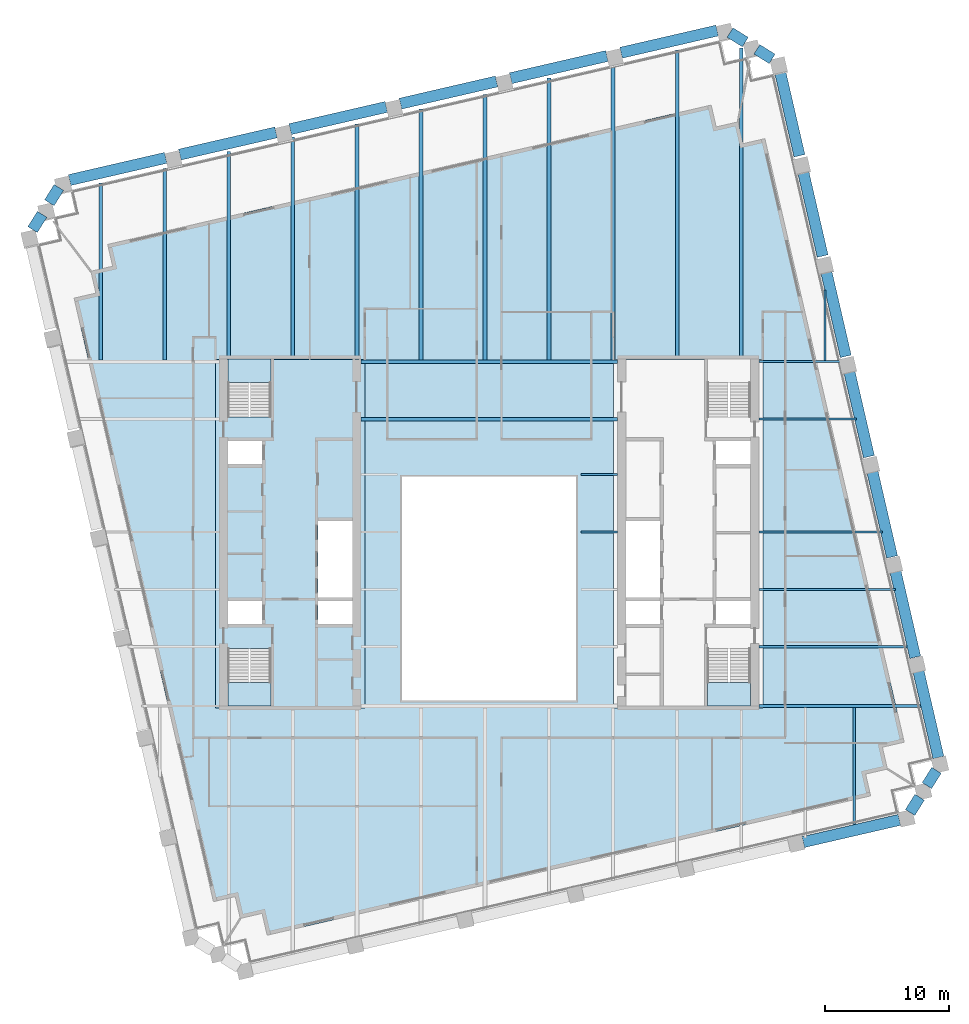
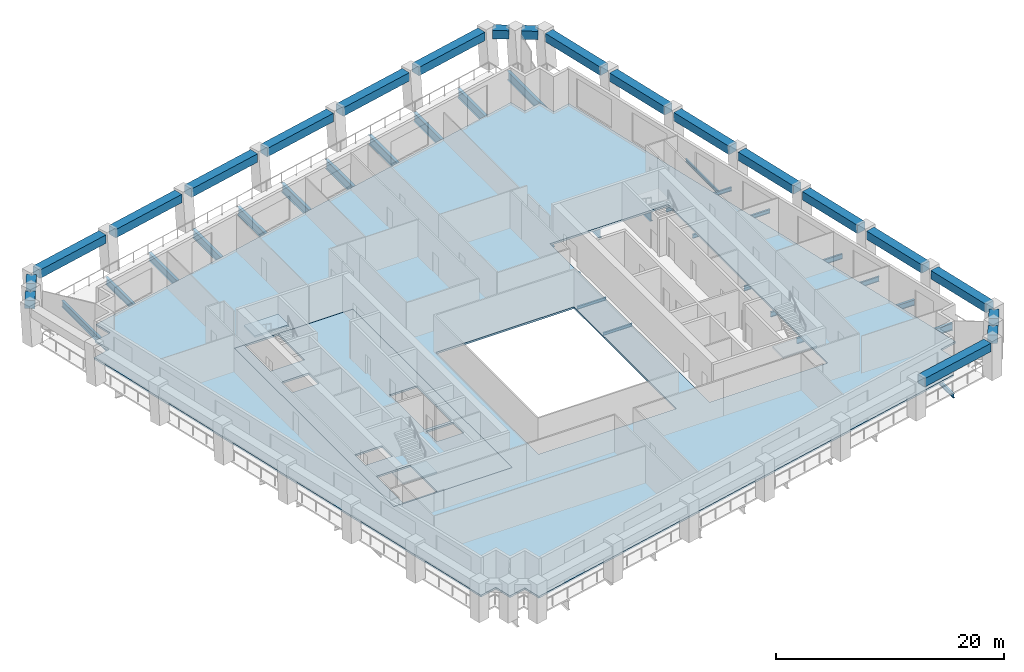
# One storey, part 2 of 10: 43 beams, 5 slabs, 3 elements without a shape of their own.
"""IFC4 building model written with IfcOpenShell, lengths in metres."""

from ifc_helpers import new_model, si_unit, direction, frame, origin, origin_2d, place, context, subcontext, project, spatial, polyline, rectangle, i_section, outline, extrude, material, layer, layer_set, material_profile, profile_set, type_object, element, aggregate, save


model = new_model("IFC4")

# Units and contexts
model_context = context("Model", 3, precision=1e-05, world=origin(), true_north=direction((0.0, 1.0)))
body_context = subcontext(model_context, "Body", "Model", "MODEL_VIEW")
ifc_project = project(units=[si_unit("LENGTHUNIT", "METRE"), si_unit("AREAUNIT", "SQUARE_METRE"), si_unit("VOLUMEUNIT", "CUBIC_METRE"), si_unit("PLANEANGLEUNIT", "RADIAN"), si_unit("MASSUNIT", "GRAM", prefix="KILO")], contexts=[model_context])

# Site, building, storey
site_placement = place(None, origin())
site = spatial("IfcSite", under=ifc_project, at=site_placement, CompositionType="ELEMENT")
building_placement = place(site_placement, origin())
building = spatial("IfcBuilding", under=site, at=building_placement, Name="Ogive Exchange Tower", CompositionType="ELEMENT")
storey_placement = place(building_placement, frame((0.0, 0.0, 201.0)))
storey = spatial("IfcBuildingStorey", under=building, at=storey_placement, Name="L44", CompositionType="ELEMENT", Elevation=201.0)

# Beams
ifc_material_1 = material(Name="Steel ASTM A992 Gr50", Category="steel")
ifc_material_profile_1 = material_profile(ifc_material_1, i_section(OverallWidth=0.300048828125, OverallDepth=0.969970703125, WebThickness=0.01611328125, FlangeThickness=0.02099609375, at=origin_2d()), Name="W1000x222")
ifc_profile_set_1 = profile_set([ifc_material_profile_1], Name="Steel ASTM A992 Gr50")
beam_type_1 = type_object("IfcBeamType", Name="Floor beam W1000x222", PredefinedType="JOIST", material=ifc_profile_set_1)
beam_1_placement = place(storey_placement, frame((-5.483642578125, 25.39501953125, -0.68505859375), z_axis=(0.0, 1.0, 0.0), x_axis=(-1.0, 0.0, 0.0)))
element("IfcBeam", 1, at=beam_1_placement, inside=storey, type_object=beam_type_1, Name="Floor beam", PredefinedType="JOIST", context=body_context, shape_type="SweptSolid", body=[
    extrude(i_section(OverallWidth=0.300048828125, OverallDepth=0.969970703125, WebThickness=0.01611328125, FlangeThickness=0.02099609375, at=origin_2d()), origin(), (0.0, 0.0, 1.0), 20.14306640625),
])
ifc_material_profile_2 = material_profile(ifc_material_1, i_section(OverallWidth=0.300048828125, OverallDepth=0.97998046875, WebThickness=0.0166015625, FlangeThickness=0.026123046875, at=origin_2d()), Name="W1000x249")
ifc_profile_set_2 = profile_set([ifc_material_profile_2], Name="Steel ASTM A992 Gr50")
beam_type_2 = type_object("IfcBeamType", Name="Floor beam W1000x249", PredefinedType="JOIST", material=ifc_profile_set_2)
beam_2_placement = place(storey_placement, frame((-10.320068359375, 20.62255859375, -0.68994140625), z_axis=(1.0, 0.0, 0.0), x_axis=(0.0, 1.0, 0.0)))
element("IfcBeam", 2, at=beam_2_placement, inside=storey, type_object=beam_type_2, Name="Floor beam", PredefinedType="JOIST", context=body_context, shape_type="SweptSolid", body=[
    extrude(i_section(OverallWidth=0.300048828125, OverallDepth=0.97998046875, WebThickness=0.0166015625, FlangeThickness=0.026123046875, at=origin_2d()), origin(), (0.0, 0.0, 1.0), 20.64013671875),
])
beam_3_placement = place(storey_placement, frame((-0.334716796875, 25.39501953125, -0.68994140625), z_axis=(0.0, 1.0, 0.0), x_axis=(-1.0, 0.0, 0.0)))
element("IfcBeam", 3, at=beam_3_placement, inside=storey, type_object=beam_type_2, Name="Floor beam", PredefinedType="JOIST", context=body_context, shape_type="SweptSolid", body=[
    extrude(i_section(OverallWidth=0.300048828125, OverallDepth=0.97998046875, WebThickness=0.0166015625, FlangeThickness=0.026123046875, at=origin_2d()), origin(), (0.0, 0.0, 1.0), 21.331787109375),
])
beam_4_placement = place(storey_placement, frame((4.814697265625, 25.39501953125, -0.68994140625), z_axis=(0.0, 1.0, 0.0), x_axis=(-1.0, 0.0, 0.0)))
element("IfcBeam", 4, at=beam_4_placement, inside=storey, type_object=beam_type_2, Name="Floor beam", PredefinedType="JOIST", context=body_context, shape_type="SweptSolid", body=[
    extrude(i_section(OverallWidth=0.300048828125, OverallDepth=0.97998046875, WebThickness=0.0166015625, FlangeThickness=0.026123046875, at=origin_2d()), origin(), (0.0, 0.0, 1.0), 22.67041015625),
])
beam_5_placement = place(storey_placement, frame((9.963623046875, 25.39501953125, -0.68994140625), z_axis=(0.0, 1.0, 0.0), x_axis=(-1.0, 0.0, 0.0)))
element("IfcBeam", 5, at=beam_5_placement, inside=storey, type_object=beam_type_2, Name="Floor beam", PredefinedType="JOIST", context=body_context, shape_type="SweptSolid", body=[
    extrude(i_section(OverallWidth=0.300048828125, OverallDepth=0.97998046875, WebThickness=0.0166015625, FlangeThickness=0.026123046875, at=origin_2d()), origin(), (0.0, 0.0, 1.0), 23.709228515625),
])
beam_6_placement = place(storey_placement, frame((15.11279296875, 25.39990234375, -0.68994140625), z_axis=(0.0, 1.0, 0.0), x_axis=(-1.0, 0.0, 0.0)))
element("IfcBeam", 6, at=beam_6_placement, inside=storey, type_object=beam_type_2, Name="Floor beam", PredefinedType="JOIST", context=body_context, shape_type="SweptSolid", body=[
    extrude(i_section(OverallWidth=0.300048828125, OverallDepth=0.97998046875, WebThickness=0.0166015625, FlangeThickness=0.026123046875, at=origin_2d()), origin(), (0.0, 0.0, 1.0), 24.893310546875),
])
beam_7_placement = place(storey_placement, frame((20.261962890625, 25.39990234375, -0.68994140625), z_axis=(0.0, 1.0, 0.0), x_axis=(-1.0, 0.0, 0.0)))
element("IfcBeam", 7, at=beam_7_placement, inside=storey, type_object=beam_type_2, Name="Floor beam", PredefinedType="JOIST", context=body_context, shape_type="SweptSolid", body=[
    extrude(i_section(OverallWidth=0.300048828125, OverallDepth=0.97998046875, WebThickness=0.0166015625, FlangeThickness=0.026123046875, at=origin_2d()), origin(), (0.0, 0.0, 1.0), 25.066162109375),
])
ifc_material_profile_3 = material_profile(ifc_material_1, i_section(OverallWidth=0.1650390625, OverallDepth=0.31005859375, WebThickness=0.005859375, FlangeThickness=0.009765625, at=origin_2d()), Name="W310x38.7")
ifc_profile_set_3 = profile_set([ifc_material_profile_3], Name="Steel ASTM A992 Gr50")
beam_type_3 = type_object("IfcBeamType", Name="Floor beam W310x38.7", PredefinedType="JOIST", material=ifc_profile_set_3)
beam_8_placement = place(storey_placement, frame((7.3701171875, 11.543701171875, -0.35498046875), z_axis=(1.0, 0.0, 0.0), x_axis=(0.0, 1.0, 0.0)))
element("IfcBeam", 8, at=beam_8_placement, inside=storey, type_object=beam_type_3, Name="Floor beam", PredefinedType="JOIST", context=body_context, shape_type="SweptSolid", body=[
    extrude(i_section(OverallWidth=0.1650390625, OverallDepth=0.31005859375, WebThickness=0.005859375, FlangeThickness=0.009765625, at=origin_2d()), origin(), (0.0, 0.0, 1.0), 2.949951171875),
])
beam_9_placement = place(storey_placement, frame((27.01123046875, 25.333984375, -0.35498046875), z_axis=(0.0, 1.0, 0.0), x_axis=(-1.0, 0.0, 0.0)))
element("IfcBeam", 9, at=beam_9_placement, inside=storey, type_object=beam_type_3, Name="Floor beam", PredefinedType="JOIST", context=body_context, shape_type="SweptSolid", body=[
    extrude(i_section(OverallWidth=0.1650390625, OverallDepth=0.31005859375, WebThickness=0.005859375, FlangeThickness=0.009765625, at=origin_2d()), origin(), (0.0, 0.0, 1.0), 5.680419921875),
])
ifc_material_profile_4 = material_profile(ifc_material_1, i_section(OverallWidth=0.177978515625, OverallDepth=0.406005859375, WebThickness=0.0078125, FlangeThickness=0.0126953125, at=origin_2d()), Name="W410x60")
ifc_profile_set_4 = profile_set([ifc_material_profile_4], Name="Steel ASTM A992 Gr50")
beam_type_4 = type_object("IfcBeamType", Name="Floor beam W410x60", PredefinedType="JOIST", material=ifc_profile_set_4)
beam_10_placement = place(storey_placement, frame((21.679931640625, 20.62255859375, -0.403076171875), z_axis=(1.0, 0.0, 0.0), x_axis=(0.0, 1.0, 0.0)))
element("IfcBeam", 10, at=beam_10_placement, inside=storey, type_object=beam_type_4, Name="Floor beam", PredefinedType="JOIST", context=body_context, shape_type="SweptSolid", body=[
    extrude(i_section(OverallWidth=0.177978515625, OverallDepth=0.406005859375, WebThickness=0.0078125, FlangeThickness=0.0126953125, at=origin_2d()), origin(), (0.0, 0.0, 1.0), 7.845703125),
])
ifc_material_profile_5 = material_profile(ifc_material_1, i_section(OverallWidth=0.19091796875, OverallDepth=0.45703125, WebThickness=0.009033203125, FlangeThickness=0.014404296875, at=origin_2d()), Name="W460x74")
ifc_profile_set_5 = profile_set([ifc_material_profile_5], Name="Steel ASTM A992 Gr50")
beam_type_5 = type_object("IfcBeamType", Name="Floor beam W460x74", PredefinedType="JOIST", material=ifc_profile_set_5)
beam_11_placement = place(storey_placement, frame((29.3603515625, -11.97265625, -0.428466796875), z_axis=(0.0, 1.0, 0.0), x_axis=(-1.0, 0.0, 0.0)))
element("IfcBeam", 11, at=beam_11_placement, inside=storey, type_object=beam_type_5, Name="Floor beam", PredefinedType="JOIST", context=body_context, shape_type="SweptSolid", body=[
    extrude(i_section(OverallWidth=0.19091796875, OverallDepth=0.45703125, WebThickness=0.009033203125, FlangeThickness=0.014404296875, at=origin_2d()), origin(), (0.0, 0.0, 1.0), 9.39404296875),
])
ifc_material_profile_6 = material_profile(ifc_material_1, i_section(OverallWidth=0.1669921875, OverallDepth=0.535888671875, WebThickness=0.01025390625, FlangeThickness=0.0166015625, at=origin_2d()), Name="W530x85")
ifc_profile_set_6 = profile_set([ifc_material_profile_6], Name="Steel ASTM A992 Gr50")
beam_type_6 = type_object("IfcBeamType", Name="Floor beam W530x85", PredefinedType="JOIST", material=ifc_profile_set_6)
beam_12_placement = place(storey_placement, frame((21.679931640625, 6.9326171875, -0.468017578125), z_axis=(1.0, 0.0, 0.0), x_axis=(0.0, 1.0, 0.0)))
element("IfcBeam", 12, at=beam_12_placement, inside=storey, type_object=beam_type_6, Name="Floor beam", PredefinedType="JOIST", context=body_context, shape_type="SweptSolid", body=[
    extrude(i_section(OverallWidth=0.1669921875, OverallDepth=0.535888671875, WebThickness=0.01025390625, FlangeThickness=0.0166015625, at=origin_2d()), origin(), (0.0, 0.0, 1.0), 11.00634765625),
])
beam_13_placement = place(storey_placement, frame((21.679931640625, 11.543701171875, -0.468017578125), z_axis=(1.0, 0.0, 0.0), x_axis=(0.0, 1.0, 0.0)))
element("IfcBeam", 13, at=beam_13_placement, inside=storey, type_object=beam_type_6, Name="Floor beam", PredefinedType="JOIST", context=body_context, shape_type="SweptSolid", body=[
    extrude(i_section(OverallWidth=0.1669921875, OverallDepth=0.535888671875, WebThickness=0.01025390625, FlangeThickness=0.0166015625, at=origin_2d()), origin(), (0.0, 0.0, 1.0), 9.941650390625),
])
ifc_material_profile_7 = material_profile(ifc_material_1, i_section(OverallWidth=0.22802734375, OverallDepth=0.60205078125, WebThickness=0.010498046875, FlangeThickness=0.014892578125, at=origin_2d()), Name="W610x101")
ifc_profile_set_7 = profile_set([ifc_material_profile_7], Name="Steel ASTM A992 Gr50")
beam_type_7 = type_object("IfcBeamType", Name="Floor beam W610x101", PredefinedType="JOIST", material=ifc_profile_set_7)
beam_14_placement = place(storey_placement, frame((21.679931640625, 2.3212890625, -0.5009765625), z_axis=(1.0, 0.0, 0.0), x_axis=(0.0, 1.0, 0.0)))
element("IfcBeam", 14, at=beam_14_placement, inside=storey, type_object=beam_type_7, Name="Floor beam", PredefinedType="JOIST", context=body_context, shape_type="SweptSolid", body=[
    extrude(i_section(OverallWidth=0.22802734375, OverallDepth=0.60205078125, WebThickness=0.010498046875, FlangeThickness=0.014892578125, at=origin_2d()), origin(), (0.0, 0.0, 1.0), 11.9208984375),
])
ifc_material_profile_8 = material_profile(ifc_material_1, i_section(OverallWidth=0.25390625, OverallDepth=0.677978515625, WebThickness=0.01171875, FlangeThickness=0.016357421875, at=origin_2d()), Name="W690x125")
ifc_profile_set_8 = profile_set([ifc_material_profile_8], Name="Steel ASTM A992 Gr50")
beam_type_8 = type_object("IfcBeamType", Name="Floor beam W690x125", PredefinedType="JOIST", material=ifc_profile_set_8)
beam_15_placement = place(storey_placement, frame((-31.2294921875, 25.37841796875, -0.5390625), z_axis=(0.0, 1.0, 0.0), x_axis=(-1.0, 0.0, 0.0)))
element("IfcBeam", 15, at=beam_15_placement, inside=storey, type_object=beam_type_8, Name="Floor beam", PredefinedType="JOIST", context=body_context, shape_type="SweptSolid", body=[
    extrude(i_section(OverallWidth=0.25390625, OverallDepth=0.677978515625, WebThickness=0.01171875, FlangeThickness=0.016357421875, at=origin_2d()), origin(), (0.0, 0.0, 1.0), 14.215576171875),
])
ifc_material_profile_9 = material_profile(ifc_material_1, i_section(OverallWidth=0.26708984375, OverallDepth=0.75390625, WebThickness=0.01318359375, FlangeThickness=0.01708984375, at=origin_2d()), Name="W760x147")
ifc_profile_set_9 = profile_set([ifc_material_profile_9], Name="Steel ASTM A992 Gr50")
beam_type_9 = type_object("IfcBeamType", Name="Floor beam W760x147", PredefinedType="JOIST", material=ifc_profile_set_9)
beam_16_placement = place(storey_placement, frame((-26.080322265625, 25.37841796875, -0.576904296875), z_axis=(0.0, 1.0, 0.0), x_axis=(-1.0, 0.0, 0.0)))
element("IfcBeam", 16, at=beam_16_placement, inside=storey, type_object=beam_type_9, Name="Floor beam", PredefinedType="JOIST", context=body_context, shape_type="SweptSolid", body=[
    extrude(i_section(OverallWidth=0.26708984375, OverallDepth=0.75390625, WebThickness=0.01318359375, FlangeThickness=0.01708984375, at=origin_2d()), origin(), (0.0, 0.0, 1.0), 15.404541015625),
])
ifc_material_profile_10 = material_profile(ifc_material_1, i_section(OverallWidth=0.2919921875, OverallDepth=0.8359375, WebThickness=0.013916015625, FlangeThickness=0.018798828125, at=origin_2d()), Name="W840x176")
ifc_profile_set_10 = profile_set([ifc_material_profile_10], Name="Steel ASTM A992 Gr50")
beam_type_10 = type_object("IfcBeamType", Name="Floor beam W840x176", PredefinedType="JOIST", material=ifc_profile_set_10)
beam_17_placement = place(storey_placement, frame((-20.93115234375, 25.39990234375, -0.617919921875), z_axis=(0.0, 1.0, 0.0), x_axis=(-1.0, 0.0, 0.0)))
element("IfcBeam", 17, at=beam_17_placement, inside=storey, type_object=beam_type_10, Name="Floor beam", PredefinedType="JOIST", context=body_context, shape_type="SweptSolid", body=[
    extrude(i_section(OverallWidth=0.2919921875, OverallDepth=0.8359375, WebThickness=0.013916015625, FlangeThickness=0.018798828125, at=origin_2d()), origin(), (0.0, 0.0, 1.0), 16.7216796875),
])
ifc_material_profile_11 = material_profile(ifc_material_1, i_section(OverallWidth=0.304931640625, OverallDepth=0.904052734375, WebThickness=0.01513671875, FlangeThickness=0.02001953125, at=origin_2d()), Name="W920x201")
ifc_profile_set_11 = profile_set([ifc_material_profile_11], Name="Steel ASTM A992 Gr50")
beam_type_11 = type_object("IfcBeamType", Name="Floor beam W920x201", PredefinedType="JOIST", material=ifc_profile_set_11)
beam_18_placement = place(storey_placement, frame((-15.781982421875, 25.39990234375, -0.652099609375), z_axis=(0.0, 1.0, 0.0), x_axis=(-1.0, 0.0, 0.0)))
element("IfcBeam", 18, at=beam_18_placement, inside=storey, type_object=beam_type_11, Name="Floor beam", PredefinedType="JOIST", context=body_context, shape_type="SweptSolid", body=[
    extrude(i_section(OverallWidth=0.304931640625, OverallDepth=0.904052734375, WebThickness=0.01513671875, FlangeThickness=0.02001953125, at=origin_2d()), origin(), (0.0, 0.0, 1.0), 17.910400390625),
])
beam_19_placement = place(storey_placement, frame((-10.6328125, 25.39990234375, -0.652099609375), z_axis=(0.0, 1.0, 0.0), x_axis=(-1.0, 0.0, 0.0)))
element("IfcBeam", 19, at=beam_19_placement, inside=storey, type_object=beam_type_11, Name="Floor beam", PredefinedType="JOIST", context=body_context, shape_type="SweptSolid", body=[
    extrude(i_section(OverallWidth=0.304931640625, OverallDepth=0.904052734375, WebThickness=0.01513671875, FlangeThickness=0.02001953125, at=origin_2d()), origin(), (0.0, 0.0, 1.0), 18.94921875),
])
ifc_material_profile_12 = material_profile(ifc_material_1, i_section(OverallWidth=0.300048828125, OverallDepth=0.97998046875, WebThickness=0.0166015625, FlangeThickness=0.026123046875, at=origin_2d()), Name="W1000x249")
ifc_profile_set_12 = profile_set([ifc_material_profile_12], Name="Steel ASTM A992 Gr50")
beam_type_12 = type_object("IfcBeamType", Name="Girder W1000x249", PredefinedType="BEAM", material=ifc_profile_set_12)
beam_20_placement = place(storey_placement, frame((-10.320068359375, 25.2451171875, -0.68994140625), z_axis=(1.0, 0.0, 0.0), x_axis=(0.0, 1.0, 0.0)))
element("IfcBeam", 20, at=beam_20_placement, inside=storey, type_object=beam_type_12, Name="Header girder", PredefinedType="BEAM", context=body_context, shape_type="SweptSolid", body=[
    extrude(i_section(OverallWidth=0.300048828125, OverallDepth=0.97998046875, WebThickness=0.0166015625, FlangeThickness=0.026123046875, at=origin_2d()), origin(), (0.0, 0.0, 1.0), 20.64013671875),
])
ifc_material_profile_13 = material_profile(ifc_material_1, i_section(OverallWidth=0.1650390625, OverallDepth=0.31005859375, WebThickness=0.005859375, FlangeThickness=0.009765625, at=origin_2d()), Name="W310x38.7")
ifc_profile_set_13 = profile_set([ifc_material_profile_13], Name="Steel ASTM A992 Gr50")
beam_type_13 = type_object("IfcBeamType", Name="Girder W310x38.7", PredefinedType="BEAM", material=ifc_profile_set_13)
beam_21_placement = place(storey_placement, frame((7.3701171875, 16.155029296875, -0.35498046875), z_axis=(1.0, 0.0, 0.0), x_axis=(0.0, 1.0, 0.0)))
element("IfcBeam", 21, at=beam_21_placement, inside=storey, type_object=beam_type_13, Name="Trimmer girder", PredefinedType="BEAM", context=body_context, shape_type="SweptSolid", body=[
    extrude(i_section(OverallWidth=0.1650390625, OverallDepth=0.31005859375, WebThickness=0.005859375, FlangeThickness=0.009765625, at=origin_2d()), origin(), (0.0, 0.0, 1.0), 2.949951171875),
])
ifc_material_profile_14 = material_profile(ifc_material_1, i_section(OverallWidth=0.177978515625, OverallDepth=0.406005859375, WebThickness=0.0078125, FlangeThickness=0.0126953125, at=origin_2d()), Name="W410x60")
ifc_profile_set_14 = profile_set([ifc_material_profile_14], Name="Steel ASTM A992 Gr50")
beam_type_14 = type_object("IfcBeamType", Name="Girder W410x60", PredefinedType="BEAM", material=ifc_profile_set_14)
beam_22_placement = place(storey_placement, frame((21.679931640625, 25.2451171875, -0.403076171875), z_axis=(1.0, 0.0, 0.0), x_axis=(0.0, 1.0, 0.0)))
element("IfcBeam", 22, at=beam_22_placement, inside=storey, type_object=beam_type_14, Name="Header girder", PredefinedType="BEAM", context=body_context, shape_type="SweptSolid", body=[
    extrude(i_section(OverallWidth=0.177978515625, OverallDepth=0.406005859375, WebThickness=0.0078125, FlangeThickness=0.0126953125, at=origin_2d()), origin(), (0.0, 0.0, 1.0), 6.628662109375),
])
ifc_material_profile_15 = material_profile(ifc_material_1, i_section(OverallWidth=0.26708984375, OverallDepth=0.75390625, WebThickness=0.01318359375, FlangeThickness=0.01708984375, at=origin_2d()), Name="W760x147")
ifc_profile_set_15 = profile_set([ifc_material_profile_15], Name="Steel ASTM A992 Gr50")
beam_type_15 = type_object("IfcBeamType", Name="Girder W760x147", PredefinedType="BEAM", material=ifc_profile_set_15)
beam_23_placement = place(storey_placement, frame((21.679931640625, -2.445068359375, -0.576904296875), z_axis=(1.0, 0.0, 0.0), x_axis=(0.0, 1.0, 0.0)))
element("IfcBeam", 23, at=beam_23_placement, inside=storey, type_object=beam_type_15, Name="Header girder", PredefinedType="BEAM", context=body_context, shape_type="SweptSolid", body=[
    extrude(i_section(OverallWidth=0.26708984375, OverallDepth=0.75390625, WebThickness=0.01318359375, FlangeThickness=0.01708984375, at=origin_2d()), origin(), (0.0, 0.0, 1.0), 13.021484375),
])
ifc_material_2 = material(Name="Precast concrete C70/85 (limestone faced)", Category="masonry")
ifc_material_profile_16 = material_profile(ifc_material_2, rectangle(XDim=0.89990234375, YDim=0.89990234375, at=origin_2d()), Name="900 x 900")
ifc_profile_set_16 = profile_set([ifc_material_profile_16], Name="Precast concrete C70/85 (limestone faced)")
beam_type_16 = type_object("IfcBeamType", Name="Precast spandrel 900 x 900 C70/85", PredefinedType="SPANDREL", material=ifc_profile_set_16)
beam_24_placement = place(storey_placement, frame((25.249755859375, -13.383544921875, 3.5), z_axis=(0.974368388194, 0.224958316335, 0.0), x_axis=(-0.224958316335, 0.974368388194, 0.0)))
element("IfcBeam", 24, at=beam_24_placement, inside=storey, type_object=beam_type_16, Name="Spandrel 6", PredefinedType="SPANDREL", context=body_context, shape_type="SweptSolid", body=[
    extrude(rectangle(XDim=0.89990234375, YDim=0.89990234375, at=origin_2d()), origin(), (0.0, 0.0, 1.0), 7.93994140625),
])
for number, where, z_axis, x_axis, name in (
    (25, (33.842041015625, -11.001708984375, 3.5), (0.529877740036, 0.848074041941, 0.0), (-0.848074041941, 0.529877740036, 0.0), "Spandrel 7"),
    (26, (35.19091796875, -8.843017578125, 3.5), (0.529877740036, 0.848074041941, 0.0), (-0.848074041941, 0.529877740036, 0.0), "Spandrel 8"),
):
    element("IfcBeam", number, at=place(storey_placement, frame(where, z_axis=z_axis, x_axis=x_axis)), inside=storey, type_object=beam_type_16, Name=name, PredefinedType="SPANDREL", context=body_context, shape_type="SweptSolid", body=[
        extrude(rectangle(XDim=0.89990234375, YDim=0.89990234375, at=origin_2d()), origin(), (0.0, 0.0, 1.0), 1.448486328125),
    ])
for number, where, z_axis, x_axis, name in (
    (27, (36.11865234375, -6.584228515625, 3.5), (-0.224944705742, 0.974371530454, 0.0), (-0.974371530454, -0.224944705742, 0.0), "Spandrel 9"),
    (28, (34.257080078125, 1.47900390625, 3.5), (-0.224944705742, 0.974371530454, 0.0), (-0.974371530454, -0.224944705742, 0.0), "Spandrel 10"),
):
    element("IfcBeam", number, at=place(storey_placement, frame(where, z_axis=z_axis, x_axis=x_axis)), inside=storey, type_object=beam_type_16, Name=name, PredefinedType="SPANDREL", context=body_context, shape_type="SweptSolid", body=[
        extrude(rectangle(XDim=0.89990234375, YDim=0.89990234375, at=origin_2d()), origin(), (0.0, 0.0, 1.0), 7.115478515625),
    ])
beam_25_placement = place(storey_placement, frame((32.3955078125, 9.54248046875, 3.5), z_axis=(-0.224952226322, 0.974369794212, 0.0), x_axis=(-0.974369794212, -0.224952226322, 0.0)))
element("IfcBeam", 29, at=beam_25_placement, inside=storey, type_object=beam_type_16, Name="Spandrel 11", PredefinedType="SPANDREL", context=body_context, shape_type="SweptSolid", body=[
    extrude(rectangle(XDim=0.89990234375, YDim=0.89990234375, at=origin_2d()), origin(), (0.0, 0.0, 1.0), 7.115234375),
])
for number, where, z_axis, x_axis, name in (
    (30, (30.5341796875, 17.605712890625, 3.5), (-0.224977280483, 0.974364009632, 0.0), (-0.974364009632, -0.224977280483, 0.0), "Spandrel 12"),
    (31, (28.672607421875, 25.6689453125, 3.5), (-0.224944705742, 0.974371530454, 0.0), (-0.974371530454, -0.224944705742, 0.0), "Spandrel 13"),
):
    element("IfcBeam", number, at=place(storey_placement, frame(where, z_axis=z_axis, x_axis=x_axis)), inside=storey, type_object=beam_type_16, Name=name, PredefinedType="SPANDREL", context=body_context, shape_type="SweptSolid", body=[
        extrude(rectangle(XDim=0.89990234375, YDim=0.89990234375, at=origin_2d()), origin(), (0.0, 0.0, 1.0), 7.115478515625),
    ])
for number, where, z_axis, x_axis, name in (
    (32, (26.810791015625, 33.732421875, 3.5), (-0.224952226322, 0.974369794212, 0.0), (-0.974369794212, -0.224952226322, 0.0), "Spandrel 14"),
    (33, (24.949462890625, 41.795654296875, 3.5), (-0.224952226322, 0.974369794212, 0.0), (-0.974369794212, -0.224952226322, 0.0), "Spandrel 15"),
):
    element("IfcBeam", number, at=place(storey_placement, frame(where, z_axis=z_axis, x_axis=x_axis)), inside=storey, type_object=beam_type_16, Name=name, PredefinedType="SPANDREL", context=body_context, shape_type="SweptSolid", body=[
        extrude(rectangle(XDim=0.89990234375, YDim=0.89990234375, at=origin_2d()), origin(), (0.0, 0.0, 1.0), 7.115234375),
    ])
for number, where, z_axis, x_axis, name in (
    (34, (22.753173828125, 49.58447265625, 3.5), (-0.848074041941, 0.529877740036, 0.0), (-0.529877740036, -0.848074041941, 0.0), "Spandrel 16"),
    (35, (20.59423828125, 50.933349609375, 3.5), (-0.848026711821, 0.529953484787, 0.0), (-0.529953484787, -0.848026711821, 0.0), "Spandrel 17"),
):
    element("IfcBeam", number, at=place(storey_placement, frame(where, z_axis=z_axis, x_axis=x_axis)), inside=storey, type_object=beam_type_16, Name=name, PredefinedType="SPANDREL", context=body_context, shape_type="SweptSolid", body=[
        extrude(rectangle(XDim=0.89990234375, YDim=0.89990234375, at=origin_2d()), origin(), (0.0, 0.0, 1.0), 1.448486328125),
    ])
for number, where, z_axis, x_axis, name in (
    (36, (18.335693359375, 51.861083984375, 3.5), (-0.974376683324, -0.224922384377, 0.0), (0.224922384377, -0.974376683324, 0.0), "Spandrel 18"),
    (37, (9.46875, 49.814208984375, 3.5), (-0.974368388194, -0.224958316335, 0.0), (0.224958316335, -0.974368388194, 0.0), "Spandrel 19"),
):
    element("IfcBeam", number, at=place(storey_placement, frame(where, z_axis=z_axis, x_axis=x_axis)), inside=storey, type_object=beam_type_16, Name=name, PredefinedType="SPANDREL", context=body_context, shape_type="SweptSolid", body=[
        extrude(rectangle(XDim=0.89990234375, YDim=0.89990234375, at=origin_2d()), origin(), (0.0, 0.0, 1.0), 7.93994140625),
    ])
for number, where, z_axis, x_axis, name in (
    (38, (0.60205078125, 47.76708984375, 3.5), (-0.974369944206, -0.224951576629, 0.0), (0.224951576629, -0.974369944206, 0.0), "Spandrel 20"),
    (39, (-8.2646484375, 45.719970703125, 3.5), (-0.974369944206, -0.224951576629, 0.0), (0.224951576629, -0.974369944206, 0.0), "Spandrel 21"),
):
    element("IfcBeam", number, at=place(storey_placement, frame(where, z_axis=z_axis, x_axis=x_axis)), inside=storey, type_object=beam_type_16, Name=name, PredefinedType="SPANDREL", context=body_context, shape_type="SweptSolid", body=[
        extrude(rectangle(XDim=0.89990234375, YDim=0.89990234375, at=origin_2d()), origin(), (0.0, 0.0, 1.0), 7.940185546875),
    ])
for number, where, z_axis, x_axis, name in (
    (40, (-17.131591796875, 43.673095703125, 3.5), (-0.974361647901, -0.224987508763, 0.0), (0.224987508763, -0.974361647901, 0.0), "Spandrel 22"),
    (41, (-25.998291015625, 41.6259765625, 3.5), (-0.974368388194, -0.224958316335, 0.0), (0.224958316335, -0.974368388194, 0.0), "Spandrel 23"),
):
    element("IfcBeam", number, at=place(storey_placement, frame(where, z_axis=z_axis, x_axis=x_axis)), inside=storey, type_object=beam_type_16, Name=name, PredefinedType="SPANDREL", context=body_context, shape_type="SweptSolid", body=[
        extrude(rectangle(XDim=0.89990234375, YDim=0.89990234375, at=origin_2d()), origin(), (0.0, 0.0, 1.0), 7.93994140625),
    ])
for number, where, z_axis, x_axis, name in (
    (42, (-34.590576171875, 39.244140625, 3.5), (-0.529877740036, -0.848074041941, 0.0), (0.848074041941, -0.529877740036, 0.0), "Spandrel 24"),
    (43, (-35.939453125, 37.08544921875, 3.5), (-0.529877740036, -0.848074041941, 0.0), (0.848074041941, -0.529877740036, 0.0), "Spandrel 25"),
):
    element("IfcBeam", number, at=place(storey_placement, frame(where, z_axis=z_axis, x_axis=x_axis)), inside=storey, type_object=beam_type_16, Name=name, PredefinedType="SPANDREL", context=body_context, shape_type="SweptSolid", body=[
        extrude(rectangle(XDim=0.89990234375, YDim=0.89990234375, at=origin_2d()), origin(), (0.0, 0.0, 1.0), 1.448486328125),
    ])

# Slabs
ifc_material_3 = material(Name="Concrete C50/60", Category="concrete")
ifc_layer_1 = layer(ifc_material_3, 0.199951171875)
ifc_layer_set_1 = layer_set([ifc_layer_1], Name="Composite floor slab 200")
slab_type_1 = type_object("IfcSlabType", Name="Composite floor slab 200", PredefinedType="FLOOR", material=ifc_layer_set_1)
slab_1_placement = place(storey_placement, frame((0.0, 0.0, -0.199951171875)))
element("IfcSlab", 44, at=slab_1_placement, inside=storey, type_object=slab_type_1, Name="Composite floor slab", PredefinedType="FLOOR", context=body_context, shape_type="SweptSolid", body=[
    extrude(outline(polyline([(-18.255615234375, -19.116943359375), (-20.009521484375, -19.52197265625), (-20.414306640625, -17.76806640625), (-22.168212890625, -18.1728515625), (-33.370849609375, 30.3505859375), (-31.616943359375, 30.755615234375), (-32.02197265625, 32.509521484375), (-30.26806640625, 32.914306640625), (-30.6728515625, 34.668212890625), (17.8505859375, 45.870849609375), (18.255615234375, 44.116943359375), (20.009521484375, 44.52197265625), (20.414306640625, 42.76806640625), (22.168212890625, 43.1728515625), (33.370849609375, -5.3505859375), (31.616943359375, -5.755615234375), (32.02197265625, -7.509521484375), (30.26806640625, -7.914306640625), (30.6728515625, -9.668212890625), (-17.8505859375, -20.870849609375), (-18.255615234375, -19.116943359375)]), holes=[polyline([(7.0, -2.0), (7.0, 16.0), (-7.0, 16.0), (-7.0, -2.0), (7.0, -2.0)]), polyline([(-22.0, -2.60009765625), (-10.0, -2.60009765625), (-10.0, 25.39990234375), (-22.0, 25.39990234375), (-22.0, -2.60009765625)]), polyline([(10.0, -2.60009765625), (22.0, -2.60009765625), (22.0, 25.39990234375), (10.0, 25.39990234375), (10.0, -2.60009765625)])]), origin(), (0.0, 0.0, 1.0), 0.199951171875),
])
ifc_material_4 = material(Name="Concrete C70/85", Category="concrete")
ifc_layer_2 = layer(ifc_material_4, 0.199951171875)
ifc_layer_set_2 = layer_set([ifc_layer_2], Name="Core floor slab 200")
slab_type_2 = type_object("IfcSlabType", Name="Core floor slab 200", PredefinedType="FLOOR", material=ifc_layer_set_2)
slab_2_placement = place(storey_placement, frame((0.0, 0.0, -0.199951171875)))
element("IfcSlab", 45, at=slab_2_placement, inside=storey, type_object=slab_type_2, Name="Core floor slab", PredefinedType="FLOOR", context=body_context, shape_type="SweptSolid", body=[
    extrude(outline(polyline([(-10.0, 25.39990234375), (-10.0, -2.60009765625), (-22.0, -2.60009765625), (-22.0, 25.39990234375), (-21.0, 25.39990234375), (-21.0, 20.803955078125), (-17.550048828125, 20.803955078125), (-17.550048828125, 25.39990234375), (-10.0, 25.39990234375)]), holes=[polyline([(-17.550048828125, 2.196044921875), (-21.0, 2.196044921875), (-21.0, -2.449951171875), (-17.550048828125, -2.449951171875), (-17.550048828125, 2.196044921875)]), polyline([(-18.25, 5.992919921875), (-21.0, 5.992919921875), (-21.0, 4.14990234375), (-18.25, 4.14990234375), (-18.25, 5.992919921875)]), polyline([(-11.0, 5.992919921875), (-13.75, 5.992919921875), (-13.75, 4.14990234375), (-11.0, 4.14990234375), (-11.0, 5.992919921875)]), polyline([(-13.75, 12.42138671875), (-13.75, 6.29296875), (-11.0, 6.29296875), (-11.0, 12.42138671875), (-13.75, 12.42138671875)]), polyline([(-18.25, 18.85009765625), (-21.0, 18.85009765625), (-21.0, 17.007080078125), (-18.25, 17.007080078125), (-18.25, 18.85009765625)])]), origin(), (0.0, 0.0, 1.0), 0.199951171875),
])

# Stair, slab
ifc_material_5 = material(Name="Concrete C40/50", Category="concrete")
stair_type = type_object("IfcStairType", Name="Exit stair 1650 wide", PredefinedType="HALF_TURN_STAIR", material=ifc_material_5)
stair_1_placement = place(storey_placement, origin())
stair_1 = element("IfcStair", 46, at=stair_1_placement, inside=storey, type_object=stair_type, Name="L44 exit stair ST1", PredefinedType="HALF_TURN_STAIR")
ifc_layer_3 = layer(ifc_material_5, 0.199951171875)
ifc_layer_set_3 = layer_set([ifc_layer_3], Name="Stair landing 200 slab")
slab_type_3 = type_object("IfcSlabType", Name="Stair landing 200 slab", PredefinedType="LANDING", material=ifc_layer_set_3)
slab_3_placement = place(storey_placement, frame((0.0, 0.0, 1.89990234375)))
slab_3 = element("IfcSlab", 47, at=slab_3_placement, type_object=slab_type_3, Name="ST1 landing 1", PredefinedType="LANDING", context=body_context, shape_type="SweptSolid", body=[
    extrude(outline(polyline([(-21.0, -0.550048828125), (-21.0, -2.449951171875), (-17.550048828125, -2.449951171875), (-17.550048828125, -0.550048828125), (-21.0, -0.550048828125)])), origin(), (0.0, 0.0, 1.0), 0.2001953125),
])
aggregate(stair_1, [slab_3])

stair_2_placement = place(storey_placement, origin())
stair_2 = element("IfcStair", 48, at=stair_2_placement, inside=storey, type_object=stair_type, Name="L44 exit stair ST2", PredefinedType="HALF_TURN_STAIR")
slab_4_placement = place(storey_placement, frame((0.0, 0.0, 1.89990234375)))
slab_4 = element("IfcSlab", 49, at=slab_4_placement, type_object=slab_type_3, Name="ST2 landing 1", PredefinedType="LANDING", context=body_context, shape_type="SweptSolid", body=[
    extrude(outline(polyline([(-17.550048828125, 23.550048828125), (-17.550048828125, 25.449951171875), (-21.0, 25.449951171875), (-21.0, 23.550048828125), (-17.550048828125, 23.550048828125)])), origin(), (0.0, 0.0, 1.0), 0.2001953125),
])
aggregate(stair_2, [slab_4])

stair_3_placement = place(storey_placement, origin())
stair_3 = element("IfcStair", 50, at=stair_3_placement, inside=storey, type_object=stair_type, Name="L44 exit stair ST3", PredefinedType="HALF_TURN_STAIR")
slab_5_placement = place(storey_placement, frame((0.0, 0.0, 1.89990234375)))
slab_5 = element("IfcSlab", 51, at=slab_5_placement, type_object=slab_type_3, Name="ST3 landing 1", PredefinedType="LANDING", context=body_context, shape_type="SweptSolid", body=[
    extrude(outline(polyline([(17.550048828125, -0.550048828125), (17.550048828125, -2.449951171875), (21.0, -2.449951171875), (21.0, -0.550048828125), (17.550048828125, -0.550048828125)])), origin(), (0.0, 0.0, 1.0), 0.2001953125),
])
aggregate(stair_3, [slab_5])

save(model, "model.ifc")
